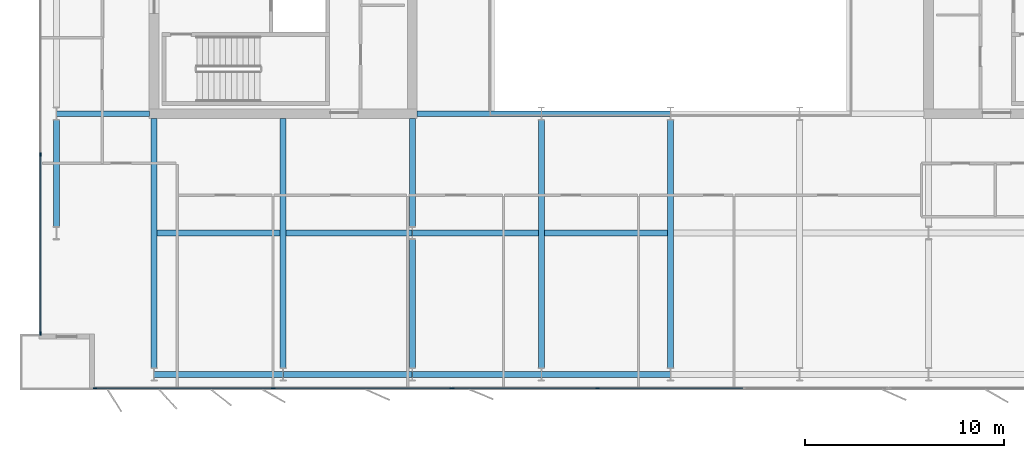
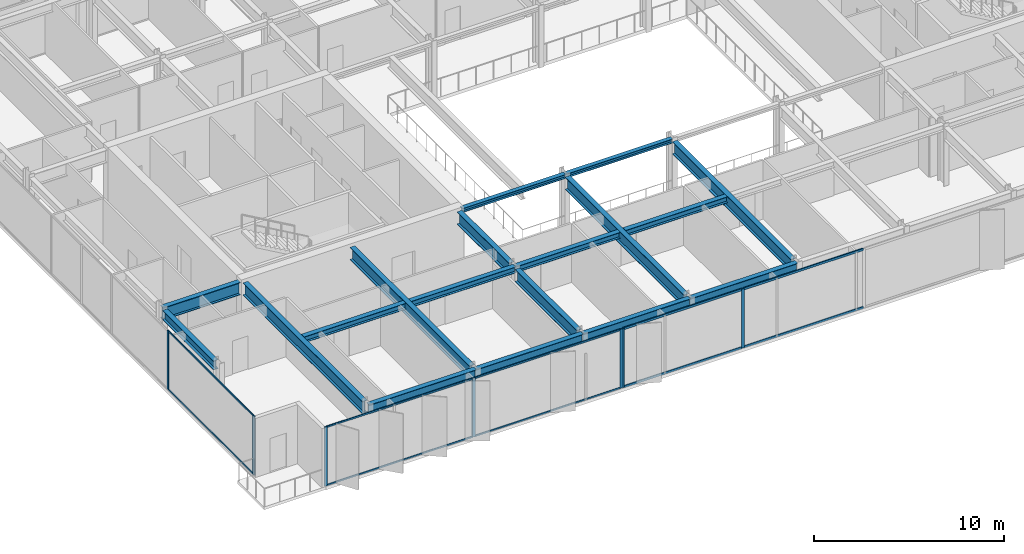
# One storey, part 4 of 20: 18 beams, 17 members, 3 elements without a shape of their own.
"""IFC4 building model written with IfcOpenShell, lengths in metres."""

import ifcopenshell
import ifcopenshell.guid

model = None  # the IFC model being written
_history = None  # IfcOwnerHistory: only IFC2X3 demands one
_inside = {}  # id of a spatial element -> (the spatial element, [elements in it])
_under = {}  # id of a project, library or spatial element -> (it, [spatial elements below it])
_declared = {}  # id of a project -> (the project, [libraries it declares])
_typed = {}  # id of a type object -> (the type object, [elements of that type])
_made_of = {}  # id of a material, layer set ... -> (it, [elements and type objects made of it])


def new_model(schema):
    """Start an empty IFC model of exactly this schema.

    Asked for "IFC4X3", IfcOpenShell would pick the latest addendum, in which some entities
    have other attributes; the version numbers below select the first issue.
    IFC2X3 requires an IfcOwnerHistory on every rooted entity: one is made here for all.
    """
    global model, _history
    if schema == "IFC4X3":
        model = ifcopenshell.file(schema_version=(4, 3, 0, 0))
    else:
        model = ifcopenshell.file(schema=schema)
    _inside.clear()
    _under.clear()
    _declared.clear()
    _typed.clear()
    _made_of.clear()
    _history = None
    if model.schema == "IFC2X3":
        org = make("IfcOrganization", Name="unknown")
        user = make(
            "IfcPersonAndOrganization",
            ThePerson=make("IfcPerson", FamilyName="unknown"),
            TheOrganization=org,
        )
        app = make(
            "IfcApplication",
            ApplicationDeveloper=org,
            Version="unknown",
            ApplicationFullName="unknown",
            ApplicationIdentifier="unknown",
        )
        _history = make(
            "IfcOwnerHistory",
            OwningUser=user,
            OwningApplication=app,
            ChangeAction="ADDED",
            CreationDate=0,
        )
    return model


def make(cls, **values):
    """One entity of the class cls with the attributes given. An attribute that is None is left unset."""
    return model.create_entity(
        cls, **{name: value for name, value in values.items() if value is not None}
    )


def rooted(cls, **values):
    """An entity with a GlobalId (a new one), such as an element, a storey or a relation."""
    return make(cls, GlobalId=ifcopenshell.guid.new(), OwnerHistory=_history, **values)


def si_unit(unit_type, name, prefix=None):
    """IfcSIUnit, for example si_unit("LENGTHUNIT", "METRE", prefix="MILLI")."""
    return make("IfcSIUnit", UnitType=unit_type, Prefix=prefix, Name=name)


def assignment(units):
    """IfcUnitAssignment: the units of a project."""
    return None if units is None else make("IfcUnitAssignment", Units=units)


def point(xyz):
    """IfcCartesianPoint."""
    return None if xyz is None else make("IfcCartesianPoint", Coordinates=xyz)


def direction(xyz):
    """IfcDirection."""
    return None if xyz is None else make("IfcDirection", DirectionRatios=xyz)


def frame(location, z_axis=None, x_axis=None):
    """IfcAxis2Placement3D, a coordinate frame: its origin and axes. An axis left out is left unset."""
    return make(
        "IfcAxis2Placement3D",
        Location=point(location),
        Axis=direction(z_axis),
        RefDirection=direction(x_axis),
    )


def frame_2d(location, x_axis=None):
    """IfcAxis2Placement2D, a coordinate frame in the plane: its origin and x axis."""
    return make(
        "IfcAxis2Placement2D", Location=point(location), RefDirection=direction(x_axis)
    )


def origin():
    """The frame at (0, 0, 0) with its axes left unset."""
    return frame((0.0, 0.0, 0.0))


def origin_2d():
    """The frame at (0, 0) in the plane with its x axis left unset."""
    return frame_2d((0.0, 0.0))


def place(relative_to, where):
    """IfcLocalPlacement: puts the frame where relative to a parent placement (None: the world)."""
    return make(
        "IfcLocalPlacement", PlacementRelTo=relative_to, RelativePlacement=where
    )


def context(
    kind, dimensions, precision=None, world=None, true_north=None, identifier=None
):
    """IfcGeometricRepresentationContext, for example the 3D "Model" context."""
    return make(
        "IfcGeometricRepresentationContext",
        ContextIdentifier=identifier,
        ContextType=kind,
        CoordinateSpaceDimension=dimensions,
        Precision=precision,
        WorldCoordinateSystem=world,
        TrueNorth=true_north,
    )


def subcontext(parent, identifier, kind, view, scale=None):
    """IfcGeometricRepresentationSubContext, for example "Body" below "Model"."""
    return make(
        "IfcGeometricRepresentationSubContext",
        ContextIdentifier=identifier,
        ContextType=kind,
        ParentContext=parent,
        TargetScale=scale,
        TargetView=view,
    )


def project(units=None, contexts=None):
    """IfcProject with its units and contexts."""
    return rooted(
        "IfcProject",
        Name="project",
        RepresentationContexts=contexts,
        UnitsInContext=assignment(units),
    )


def spatial(cls, under=None, at=None, **own):
    """A site, building, storey or space (cls), placed at a placement, below another one or the project."""
    s = rooted(cls, ObjectPlacement=at, **own)
    if under is not None:
        _under.setdefault(under.id(), (under, []))[1].append(s)
    return s


def profile(cls, at=None, kind="AREA", **sizes):
    """A parametric profile (cls). Its sizes go by their IFC names, for example OverallWidth=200.0."""
    return make(cls, ProfileType=kind, Position=at, **sizes)


def rectangle(**sizes):
    """IfcRectangleProfileDef."""
    return profile("IfcRectangleProfileDef", **sizes)


def i_section(**sizes):
    """IfcIShapeProfileDef."""
    return profile("IfcIShapeProfileDef", **sizes)


def extrude(swept, where, along, depth):
    """IfcExtrudedAreaSolid: the profile swept, set in the frame where, extruded along a direction by depth."""
    return make(
        "IfcExtrudedAreaSolid",
        SweptArea=swept,
        Position=where,
        ExtrudedDirection=direction(along),
        Depth=depth,
    )


def shape(context_of_items, identifier, shape_type, items):
    """IfcShapeRepresentation: the items that make up one representation, for example the "Body"."""
    return make(
        "IfcShapeRepresentation",
        ContextOfItems=context_of_items,
        RepresentationIdentifier=identifier,
        RepresentationType=shape_type,
        Items=items,
    )


def material(Name=None, Category=None):
    """IfcMaterial."""
    return make("IfcMaterial", Name=Name, Category=Category)


def layer(
    of_material, thickness, ventilated=None, Name=None, Category=None, Priority=None
):
    """IfcMaterialLayer: one layer of a wall or slab, of a material (None: an air gap)."""
    return make(
        "IfcMaterialLayer",
        Material=of_material,
        LayerThickness=thickness,
        IsVentilated=ventilated,
        Name=Name,
        Category=Category,
        Priority=Priority,
    )


def layer_set(layers, Name=None):
    """IfcMaterialLayerSet."""
    return make("IfcMaterialLayerSet", MaterialLayers=layers, LayerSetName=Name)


def material_profile(
    of_material, cross_section, Name=None, Category=None, Priority=None
):
    """IfcMaterialProfile: a cross section and its material."""
    return make(
        "IfcMaterialProfile",
        Name=Name,
        Material=of_material,
        Profile=cross_section,
        Priority=Priority,
        Category=Category,
    )


def profile_set(profiles, Name=None, composite=None):
    """IfcMaterialProfileSet."""
    return make(
        "IfcMaterialProfileSet",
        Name=Name,
        MaterialProfiles=profiles,
        CompositeProfile=composite,
    )


def made_of(thing, what):
    """Note that an element or type object is made of a material, layer set ...; save() writes the relation."""
    if what is not None:
        _made_of.setdefault(what.id(), (what, []))[1].append(thing)
    return thing


def type_object(cls, material=None, **own):
    """A type object (cls), such as IfcWallType, which elements share."""
    return made_of(rooted(cls, **own), material)


def element(
    cls,
    number,
    at=None,
    inside=None,
    cuts=None,
    type_object=None,
    material=None,
    context=None,
    identifier="Body",
    shape_type=None,
    held_by="IfcProductDefinitionShape",
    body=None,
    shapes=None,
    **own,
):
    """One element of the class cls, such as IfcWall. Its Tag is "e" and its number.

    at: its placement. inside: the storey or other place that contains it. cuts: it is an
    opening in that element (IfcRelVoidsElement). A single representation is given by context,
    identifier, shape_type and body (its items); several are given by shapes. held_by: the class
    of the entity that holds the representations. save() writes the other relations.
    """
    e = rooted(cls, Tag="e%d" % number, ObjectPlacement=at, **own)
    if body is not None:
        shapes = [shape(context, identifier, shape_type, body)]
    if shapes is not None:
        e.Representation = make(held_by, Representations=shapes)
    if inside is not None:
        _inside.setdefault(inside.id(), (inside, []))[1].append(e)
    if cuts is not None:
        rooted(
            "IfcRelVoidsElement", RelatingBuildingElement=cuts, RelatedOpeningElement=e
        )
    if type_object is not None:
        _typed.setdefault(type_object.id(), (type_object, []))[1].append(e)
    return made_of(e, material)


def aggregate(whole, parts):
    """IfcRelAggregates: a whole, such as a stair, and the parts it consists of."""
    return rooted("IfcRelAggregates", RelatingObject=whole, RelatedObjects=parts)


def save(model, path):
    """Write the relations noted so far, then the file.

    IfcRelAggregates (storeys below a building ...), IfcRelContainedInSpatialStructure (elements
    in a storey), IfcRelDefinesByType, IfcRelAssociatesMaterial and IfcRelDeclares: one each for
    every whole, place, type object, material and project.
    """
    for whole, parts in _under.values():
        aggregate(whole, parts)
    for where, things in _inside.values():
        rooted(
            "IfcRelContainedInSpatialStructure",
            RelatedElements=things,
            RelatingStructure=where,
        )
    for kind, things in _typed.values():
        rooted("IfcRelDefinesByType", RelatedObjects=things, RelatingType=kind)
    for what, things in _made_of.values():
        rooted("IfcRelAssociatesMaterial", RelatedObjects=things, RelatingMaterial=what)
    for by, libraries in _declared.values():
        rooted("IfcRelDeclares", RelatingContext=by, RelatedDefinitions=libraries)
    model.write(path)


model = new_model("IFC4")

# Units and contexts
model_context = context("Model", 3, precision=1e-05, world=origin(), true_north=direction((0.0, 1.0)))
body_context = subcontext(model_context, "Body", "Model", "MODEL_VIEW")
ifc_project = project(units=[si_unit("LENGTHUNIT", "METRE"), si_unit("AREAUNIT", "SQUARE_METRE"), si_unit("VOLUMEUNIT", "CUBIC_METRE"), si_unit("PLANEANGLEUNIT", "RADIAN"), si_unit("MASSUNIT", "GRAM", prefix="KILO")], contexts=[model_context])

# Site, building, storey
site_placement = place(None, origin())
site = spatial("IfcSite", under=ifc_project, at=site_placement, CompositionType="ELEMENT")
building_placement = place(site_placement, origin())
building = spatial("IfcBuilding", under=site, at=building_placement, Name="Putna Gate Headquarters", CompositionType="ELEMENT")
storey_placement = place(building_placement, frame((0.0, 0.0, 298.39990234375)))
storey = spatial("IfcBuildingStorey", under=building, at=storey_placement, Name="L75", CompositionType="ELEMENT", Elevation=298.39990234375)

# Beams
ifc_material_1 = material(Name="Steel S355J2", Category="steel")
ifc_material_profile_1 = material_profile(ifc_material_1, i_section(OverallWidth=0.260009765625, OverallDepth=0.260009765625, WebThickness=0.010009765625, FlangeThickness=0.017578125, at=origin_2d()), Name="Steel S355J2")
ifc_profile_set_1 = profile_set([ifc_material_profile_1], Name="Steel S355J2")
beam_type_1 = type_object("IfcBeamType", Name="BM-ATRIUM-HEB260", PredefinedType="BEAM", material=ifc_profile_set_1)
beam_1_placement = place(storey_placement, frame((26.235107421875, 19.0, 3.658203125), z_axis=(1.0, 0.0, 0.0), x_axis=(0.0, 1.0, 0.0)))
element("IfcBeam", 1, at=beam_1_placement, inside=storey, type_object=beam_type_1, Name="L75 Atrium Edge Beam AS1", PredefinedType="BEAM", context=body_context, shape_type="SweptSolid", body=[
    extrude(i_section(OverallWidth=0.260009765625, OverallDepth=0.260009765625, WebThickness=0.010009765625, FlangeThickness=0.017578125, at=origin_2d()), origin(), (0.0, 0.0, 1.0), 6.2587890625),
])
beam_2_placement = place(storey_placement, frame((32.506103515625, 19.0, 3.658203125), z_axis=(1.0, 0.0, 0.0), x_axis=(0.0, 1.0, 0.0)))
element("IfcBeam", 2, at=beam_2_placement, inside=storey, type_object=beam_type_1, Name="L75 Atrium Edge Beam AS2", PredefinedType="BEAM", context=body_context, shape_type="SweptSolid", body=[
    extrude(i_section(OverallWidth=0.260009765625, OverallDepth=0.260009765625, WebThickness=0.010009765625, FlangeThickness=0.017578125, at=origin_2d()), origin(), (0.0, 0.0, 1.0), 6.48779296875),
])
ifc_material_profile_2 = material_profile(ifc_material_1, i_section(OverallWidth=0.300048828125, OverallDepth=0.800048828125, WebThickness=0.017578125, FlangeThickness=0.032958984375, at=origin_2d()), Name="Steel S355J2")
ifc_profile_set_2 = profile_set([ifc_material_profile_2], Name="Steel S355J2")
beam_type_2 = type_object("IfcBeamType", Name="BM-GIRD-P-HEB800", PredefinedType="USERDEFINED", material=ifc_profile_set_2)
beam_3_placement = place(storey_placement, frame((8.0859375, 19.0, 3.38818359375), z_axis=(1.0, 0.0, 0.0), x_axis=(0.0, 1.0, 0.0)))
element("IfcBeam", 3, at=beam_3_placement, inside=storey, type_object=beam_type_2, Name="L75 West Wing Girder Y19", ObjectType="GIRDER", PredefinedType="USERDEFINED", context=body_context, shape_type="SweptSolid", body=[
    extrude(i_section(OverallWidth=0.300048828125, OverallDepth=0.800048828125, WebThickness=0.017578125, FlangeThickness=0.032958984375, at=origin_2d()), origin(), (0.0, 0.0, 1.0), 4.678955078125),
])
for number, where, z_axis, x_axis, name in (
    (4, (13.0, 6.201904296875, 3.38818359375), (0.0, 1.0, 0.0), (-1.0, 0.0, 0.0), "L75 South Primary Girder X13"),
    (5, (19.5, 6.201904296875, 3.38818359375), (0.0, 1.0, 0.0), (-1.0, 0.0, 0.0), "L75 South Primary Girder X19"),
):
    element("IfcBeam", number, at=place(storey_placement, frame(where, z_axis=z_axis, x_axis=x_axis)), inside=storey, type_object=beam_type_2, Name=name, ObjectType="GIRDER", PredefinedType="USERDEFINED", context=body_context, shape_type="SweptSolid", body=[
        extrude(i_section(OverallWidth=0.300048828125, OverallDepth=0.800048828125, WebThickness=0.017578125, FlangeThickness=0.032958984375, at=origin_2d()), origin(), (0.0, 0.0, 1.0), 12.56298828125),
    ])
beam_4_placement = place(storey_placement, frame((26.0, 6.201904296875, 3.38818359375), z_axis=(0.0, 1.0, 0.0), x_axis=(-1.0, 0.0, 0.0)))
element("IfcBeam", 6, at=beam_4_placement, inside=storey, type_object=beam_type_2, Name="L75 South Primary Girder X26-1", ObjectType="GIRDER", PredefinedType="USERDEFINED", context=body_context, shape_type="SweptSolid", body=[
    extrude(i_section(OverallWidth=0.300048828125, OverallDepth=0.800048828125, WebThickness=0.017578125, FlangeThickness=0.032958984375, at=origin_2d()), origin(), (0.0, 0.0, 1.0), 6.47607421875),
])
beam_5_placement = place(storey_placement, frame((26.0, 13.322021484375, 3.38818359375), z_axis=(0.0, 1.0, 0.0), x_axis=(-1.0, 0.0, 0.0)))
element("IfcBeam", 7, at=beam_5_placement, inside=storey, type_object=beam_type_2, Name="L75 South Primary Girder X26-2", ObjectType="GIRDER", PredefinedType="USERDEFINED", context=body_context, shape_type="SweptSolid", body=[
    extrude(i_section(OverallWidth=0.300048828125, OverallDepth=0.800048828125, WebThickness=0.017578125, FlangeThickness=0.032958984375, at=origin_2d()), origin(), (0.0, 0.0, 1.0), 5.44287109375),
])
for number, where, z_axis, x_axis, name in (
    (8, (32.5, 6.201904296875, 3.38818359375), (0.0, 1.0, 0.0), (-1.0, 0.0, 0.0), "L75 South Primary Girder X32"),
    (9, (39.0, 6.201904296875, 3.38818359375), (0.0, 1.0, 0.0), (-1.0, 0.0, 0.0), "L75 South Primary Girder X39"),
):
    element("IfcBeam", number, at=place(storey_placement, frame(where, z_axis=z_axis, x_axis=x_axis)), inside=storey, type_object=beam_type_2, Name=name, ObjectType="GIRDER", PredefinedType="USERDEFINED", context=body_context, shape_type="SweptSolid", body=[
        extrude(i_section(OverallWidth=0.300048828125, OverallDepth=0.800048828125, WebThickness=0.017578125, FlangeThickness=0.032958984375, at=origin_2d()), origin(), (0.0, 0.0, 1.0), 12.47607421875),
    ])
ifc_material_profile_3 = material_profile(ifc_material_1, i_section(OverallWidth=0.300048828125, OverallDepth=0.389892578125, WebThickness=0.010986328125, FlangeThickness=0.01904296875, at=origin_2d()), Name="Steel S355J2")
ifc_profile_set_3 = profile_set([ifc_material_profile_3], Name="Steel S355J2")
beam_type_3 = type_object("IfcBeamType", Name="BM-SEC-Z5-HEA400", PredefinedType="BEAM", material=ifc_profile_set_3)
beam_6_placement = place(storey_placement, frame((13.154052734375, 13.0, 3.593017578125), z_axis=(1.0, 0.0, 0.0), x_axis=(0.0, 1.0, 0.0)))
element("IfcBeam", 10, at=beam_6_placement, inside=storey, type_object=beam_type_3, Name="L75 South Secondary Beam 1", PredefinedType="BEAM", context=body_context, shape_type="SweptSolid", body=[
    extrude(i_section(OverallWidth=0.300048828125, OverallDepth=0.389892578125, WebThickness=0.010986328125, FlangeThickness=0.01904296875, at=origin_2d()), origin(), (0.0, 0.0, 1.0), 6.19189453125),
])
for number, where, z_axis, x_axis, name in (
    (11, (19.654052734375, 13.0, 3.593017578125), (1.0, 0.0, 0.0), (0.0, 1.0, 0.0), "L75 South Secondary Beam 2"),
    (12, (26.006103515625, 13.0, 3.593017578125), (1.0, 0.0, 0.0), (0.0, 1.0, 0.0), "L75 South Secondary Beam 3"),
):
    element("IfcBeam", number, at=place(storey_placement, frame(where, z_axis=z_axis, x_axis=x_axis)), inside=storey, type_object=beam_type_3, Name=name, PredefinedType="BEAM", context=body_context, shape_type="SweptSolid", body=[
        extrude(i_section(OverallWidth=0.300048828125, OverallDepth=0.389892578125, WebThickness=0.010986328125, FlangeThickness=0.01904296875, at=origin_2d()), origin(), (0.0, 0.0, 1.0), 6.33984375),
    ])
beam_7_placement = place(storey_placement, frame((32.654052734375, 13.0, 3.593017578125), z_axis=(1.0, 0.0, 0.0), x_axis=(0.0, 1.0, 0.0)))
element("IfcBeam", 13, at=beam_7_placement, inside=storey, type_object=beam_type_3, Name="L75 South Secondary Beam 4", PredefinedType="BEAM", context=body_context, shape_type="SweptSolid", body=[
    extrude(i_section(OverallWidth=0.300048828125, OverallDepth=0.389892578125, WebThickness=0.010986328125, FlangeThickness=0.01904296875, at=origin_2d()), origin(), (0.0, 0.0, 1.0), 6.19189453125),
])
ifc_material_profile_4 = material_profile(ifc_material_1, i_section(OverallWidth=0.300048828125, OverallDepth=0.590087890625, WebThickness=0.012939453125, FlangeThickness=0.02490234375, at=origin_2d()), Name="Steel S355J2")
ifc_profile_set_4 = profile_set([ifc_material_profile_4], Name="Steel S355J2")
beam_type_4 = type_object("IfcBeamType", Name="BM-SPAN-Z4-HEA600", PredefinedType="SPANDREL", material=ifc_profile_set_4)
for number, where, z_axis, x_axis, name in (
    (14, (13.006103515625, 5.8798828125, 3.4931640625), (1.0, 0.0, 0.0), (0.0, 1.0, 0.0), "L75 S Perimeter Spandrel 1"),
    (15, (19.506103515625, 5.8798828125, 3.4931640625), (1.0, 0.0, 0.0), (0.0, 1.0, 0.0), "L75 S Perimeter Spandrel 2"),
    (16, (26.006103515625, 5.8798828125, 3.4931640625), (1.0, 0.0, 0.0), (0.0, 1.0, 0.0), "L75 S Perimeter Spandrel 3"),
    (17, (32.506103515625, 5.8798828125, 3.4931640625), (1.0, 0.0, 0.0), (0.0, 1.0, 0.0), "L75 S Perimeter Spandrel 4"),
):
    element("IfcBeam", number, at=place(storey_placement, frame(where, z_axis=z_axis, x_axis=x_axis)), inside=storey, type_object=beam_type_4, Name=name, PredefinedType="SPANDREL", context=body_context, shape_type="SweptSolid", body=[
        extrude(i_section(OverallWidth=0.300048828125, OverallDepth=0.590087890625, WebThickness=0.012939453125, FlangeThickness=0.02490234375, at=origin_2d()), origin(), (0.0, 0.0, 1.0), 6.48779296875),
    ])
beam_8_placement = place(storey_placement, frame((8.080078125, 13.322021484375, 3.4931640625), z_axis=(0.0, 1.0, 0.0), x_axis=(-1.0, 0.0, 0.0)))
element("IfcBeam", 18, at=beam_8_placement, inside=storey, type_object=beam_type_4, Name="L75 W End Spandrel 1", PredefinedType="SPANDREL", context=body_context, shape_type="SweptSolid", body=[
    extrude(i_section(OverallWidth=0.300048828125, OverallDepth=0.590087890625, WebThickness=0.012939453125, FlangeThickness=0.02490234375, at=origin_2d()), origin(), (0.0, 0.0, 1.0), 5.35595703125),
])

# Curtain wall, members
ifc_material_2 = material(Name="Anodised bronze aluminium curtain wall", Category="aluminium")
ifc_layer_1 = layer(ifc_material_2, 0.179931640625)
ifc_layer_set_1 = layer_set([ifc_layer_1], Name="Anodised bronze aluminium curtain wall")
curtain_wall_type_1 = type_object("IfcCurtainWallType", Name="CW-SYS-Z5", PredefinedType="USERDEFINED", material=ifc_layer_set_1)
curtain_wall_1_placement = place(storey_placement, origin())
curtain_wall_1 = element("IfcCurtainWall", 19, at=curtain_wall_1_placement, inside=storey, type_object=curtain_wall_type_1, Name="L75 South West Curtain Wall", ObjectType="STICK CURTAIN WALL", PredefinedType="USERDEFINED")
ifc_material_3 = material(Name="Anodised bronze aluminium EN AW-6060", Category="aluminium")
ifc_material_profile_5 = material_profile(ifc_material_3, rectangle(XDim=0.070068359375, YDim=0.179931640625, at=origin_2d()), Name="Anodised bronze aluminium EN AW-6060")
ifc_profile_set_5 = profile_set([ifc_material_profile_5], Name="Anodised bronze aluminium EN AW-6060")
member_type_1 = type_object("IfcMemberType", Name="MULL-CWM-5", PredefinedType="MULLION", material=ifc_profile_set_5)
member_1_placement = place(storey_placement, frame((10.034912109375, 5.179931640625, 0.0), z_axis=(0.0, 0.0, 1.0), x_axis=(0.0, 1.0, 0.0)))
member_1 = element("IfcMember", 20, at=member_1_placement, type_object=member_type_1, Name="CWS-5 mullion 1", PredefinedType="MULLION", context=body_context, shape_type="SweptSolid", body=[
    extrude(rectangle(XDim=0.070068359375, YDim=0.179931640625, at=origin_2d()), origin(), (0.0, 0.0, 1.0), 3.7880859375),
])
member_2_placement = place(storey_placement, frame((19.0, 5.179931640625, 0.0), z_axis=(0.0, 0.0, 1.0), x_axis=(0.0, 1.0, 0.0)))
member_2 = element("IfcMember", 21, at=member_2_placement, type_object=member_type_1, Name="CWS-5 mullion 2", PredefinedType="MULLION", context=body_context, shape_type="SweptSolid", body=[
    extrude(rectangle(XDim=0.070068359375, YDim=0.179931640625, at=origin_2d()), origin(), (0.0, 0.0, 1.0), 3.7880859375),
])
member_3_placement = place(storey_placement, frame((27.965087890625, 5.179931640625, 0.0), z_axis=(0.0, 0.0, 1.0), x_axis=(0.0, 1.0, 0.0)))
member_3 = element("IfcMember", 22, at=member_3_placement, type_object=member_type_1, Name="CWS-5 mullion 3", PredefinedType="MULLION", context=body_context, shape_type="SweptSolid", body=[
    extrude(rectangle(XDim=0.070068359375, YDim=0.179931640625, at=origin_2d()), origin(), (0.0, 0.0, 1.0), 3.7880859375),
])

curtain_wall_2_placement = place(storey_placement, origin())
curtain_wall_2 = element("IfcCurtainWall", 23, at=curtain_wall_2_placement, inside=storey, type_object=curtain_wall_type_1, Name="L75 West Curtain Wall", ObjectType="STICK CURTAIN WALL", PredefinedType="USERDEFINED")
member_4_placement = place(storey_placement, frame((7.280029296875, 7.93505859375, 0.0), z_axis=(0.0, 0.0, 1.0), x_axis=(-1.0, 0.0, 0.0)))
member_4 = element("IfcMember", 24, at=member_4_placement, type_object=member_type_1, Name="CWS-5 mullion 1", PredefinedType="MULLION", context=body_context, shape_type="SweptSolid", body=[
    extrude(rectangle(XDim=0.070068359375, YDim=0.179931640625, at=origin_2d()), origin(), (0.0, 0.0, 1.0), 3.7880859375),
])
member_5_placement = place(storey_placement, frame((7.280029296875, 16.949951171875, 0.0), z_axis=(0.0, 0.0, 1.0), x_axis=(-1.0, 0.0, 0.0)))
member_5 = element("IfcMember", 25, at=member_5_placement, type_object=member_type_1, Name="CWS-5 mullion 2", PredefinedType="MULLION", context=body_context, shape_type="SweptSolid", body=[
    extrude(rectangle(XDim=0.070068359375, YDim=0.179931640625, at=origin_2d()), origin(), (0.0, 0.0, 1.0), 3.7880859375),
])

ifc_layer_2 = layer(ifc_material_2, 0.179931640625)
ifc_layer_set_2 = layer_set([ifc_layer_2], Name="Anodised bronze aluminium curtain wall")
curtain_wall_type_2 = type_object("IfcCurtainWallType", Name="CW-SYS-ATR", PredefinedType="USERDEFINED", material=ifc_layer_set_2)
curtain_wall_3_placement = place(storey_placement, origin())
curtain_wall_3 = element("IfcCurtainWall", 26, at=curtain_wall_3_placement, inside=storey, type_object=curtain_wall_type_2, Name="L75 South Atrium Clear Glazing", ObjectType="ATRIUM GLAZING", PredefinedType="USERDEFINED")
ifc_material_profile_6 = material_profile(ifc_material_3, rectangle(XDim=0.070068359375, YDim=0.179931640625, at=origin_2d()), Name="Anodised bronze aluminium EN AW-6060")
ifc_profile_set_6 = profile_set([ifc_material_profile_6], Name="Anodised bronze aluminium EN AW-6060")
member_type_2 = type_object("IfcMemberType", Name="MULL-CWM-AT", PredefinedType="MULLION", material=ifc_profile_set_6)
member_6_placement = place(storey_placement, frame((28.034912109375, 5.179931640625, 0.0), z_axis=(0.0, 0.0, 1.0), x_axis=(0.0, 1.0, 0.0)))
member_6 = element("IfcMember", 27, at=member_6_placement, type_object=member_type_2, Name="CWS-AT mullion 1", PredefinedType="MULLION", context=body_context, shape_type="SweptSolid", body=[
    extrude(rectangle(XDim=0.070068359375, YDim=0.179931640625, at=origin_2d()), origin(), (0.0, 0.0, 1.0), 3.7880859375),
])
member_7_placement = place(storey_placement, frame((35.333251953125, 5.179931640625, 0.0), z_axis=(0.0, 0.0, 1.0), x_axis=(0.0, 1.0, 0.0)))
member_7 = element("IfcMember", 28, at=member_7_placement, type_object=member_type_2, Name="CWS-AT mullion 2", PredefinedType="MULLION", context=body_context, shape_type="SweptSolid", body=[
    extrude(rectangle(XDim=0.070068359375, YDim=0.179931640625, at=origin_2d()), origin(), (0.0, 0.0, 1.0), 3.7880859375),
])

# Member
ifc_material_profile_7 = material_profile(ifc_material_3, rectangle(XDim=0.06005859375, YDim=0.10009765625, at=origin_2d()), Name="Anodised bronze aluminium EN AW-6060")
ifc_profile_set_7 = profile_set([ifc_material_profile_7], Name="Anodised bronze aluminium EN AW-6060")
member_type_3 = type_object("IfcMemberType", Name="TRAN-CWT-5", PredefinedType="USERDEFINED", material=ifc_profile_set_7)
member_8_placement = place(storey_placement, frame((10.070068359375, 5.179931640625, 0.030029296875), z_axis=(1.0, 0.0, 0.0), x_axis=(0.0, 1.0, 0.0)))
member_8 = element("IfcMember", 29, at=member_8_placement, type_object=member_type_3, Name="CWS-5 transom 1.1", ObjectType="TRANSOM", PredefinedType="USERDEFINED", context=body_context, shape_type="SweptSolid", body=[
    extrude(rectangle(XDim=0.06005859375, YDim=0.10009765625, at=origin_2d()), origin(), (0.0, 0.0, 1.0), 8.89501953125),
])

member_9_placement = place(storey_placement, frame((10.070068359375, 5.179931640625, 3.758056640625), z_axis=(1.0, 0.0, 0.0), x_axis=(0.0, 1.0, 0.0)))
member_9 = element("IfcMember", 30, at=member_9_placement, type_object=member_type_3, Name="CWS-5 transom 1.2", ObjectType="TRANSOM", PredefinedType="USERDEFINED", context=body_context, shape_type="SweptSolid", body=[
    extrude(rectangle(XDim=0.06005859375, YDim=0.10009765625, at=origin_2d()), origin(), (0.0, 0.0, 1.0), 8.89501953125),
])

member_10_placement = place(storey_placement, frame((19.034912109375, 5.179931640625, 0.030029296875), z_axis=(1.0, 0.0, 0.0), x_axis=(0.0, 1.0, 0.0)))
member_10 = element("IfcMember", 31, at=member_10_placement, type_object=member_type_3, Name="CWS-5 transom 2.1", ObjectType="TRANSOM", PredefinedType="USERDEFINED", context=body_context, shape_type="SweptSolid", body=[
    extrude(rectangle(XDim=0.06005859375, YDim=0.10009765625, at=origin_2d()), origin(), (0.0, 0.0, 1.0), 8.89501953125),
])

member_11_placement = place(storey_placement, frame((19.034912109375, 5.179931640625, 3.758056640625), z_axis=(1.0, 0.0, 0.0), x_axis=(0.0, 1.0, 0.0)))
member_11 = element("IfcMember", 32, at=member_11_placement, type_object=member_type_3, Name="CWS-5 transom 2.2", ObjectType="TRANSOM", PredefinedType="USERDEFINED", context=body_context, shape_type="SweptSolid", body=[
    extrude(rectangle(XDim=0.06005859375, YDim=0.10009765625, at=origin_2d()), origin(), (0.0, 0.0, 1.0), 8.89501953125),
])

aggregate(curtain_wall_1, [member_1, member_2, member_3, member_8, member_9, member_10, member_11])

member_12_placement = place(storey_placement, frame((7.280029296875, 7.969970703125, 0.030029296875), z_axis=(0.0, 1.0, 0.0), x_axis=(-1.0, 0.0, 0.0)))
member_12 = element("IfcMember", 33, at=member_12_placement, type_object=member_type_3, Name="CWS-5 transom 1.1", ObjectType="TRANSOM", PredefinedType="USERDEFINED", context=body_context, shape_type="SweptSolid", body=[
    extrude(rectangle(XDim=0.06005859375, YDim=0.10009765625, at=origin_2d()), origin(), (0.0, 0.0, 1.0), 8.945068359375),
])

member_13_placement = place(storey_placement, frame((7.280029296875, 7.969970703125, 3.758056640625), z_axis=(0.0, 1.0, 0.0), x_axis=(-1.0, 0.0, 0.0)))
member_13 = element("IfcMember", 34, at=member_13_placement, type_object=member_type_3, Name="CWS-5 transom 1.2", ObjectType="TRANSOM", PredefinedType="USERDEFINED", context=body_context, shape_type="SweptSolid", body=[
    extrude(rectangle(XDim=0.06005859375, YDim=0.10009765625, at=origin_2d()), origin(), (0.0, 0.0, 1.0), 8.945068359375),
])

aggregate(curtain_wall_2, [member_4, member_5, member_12, member_13])

ifc_material_profile_8 = material_profile(ifc_material_3, rectangle(XDim=0.070068359375, YDim=0.139892578125, at=origin_2d()), Name="Anodised bronze aluminium EN AW-6060")
ifc_profile_set_8 = profile_set([ifc_material_profile_8], Name="Anodised bronze aluminium EN AW-6060")
member_type_4 = type_object("IfcMemberType", Name="TRAN-CWT-AT", PredefinedType="USERDEFINED", material=ifc_profile_set_8)
member_14_placement = place(storey_placement, frame((28.070068359375, 5.179931640625, 0.03515625), z_axis=(1.0, 0.0, 0.0), x_axis=(0.0, 1.0, 0.0)))
member_14 = element("IfcMember", 35, at=member_14_placement, type_object=member_type_4, Name="CWS-AT transom 1.1", ObjectType="TRANSOM", PredefinedType="USERDEFINED", context=body_context, shape_type="SweptSolid", body=[
    extrude(rectangle(XDim=0.070068359375, YDim=0.139892578125, at=origin_2d()), origin(), (0.0, 0.0, 1.0), 7.228271484375),
])

member_15_placement = place(storey_placement, frame((28.070068359375, 5.179931640625, 3.753173828125), z_axis=(1.0, 0.0, 0.0), x_axis=(0.0, 1.0, 0.0)))
member_15 = element("IfcMember", 36, at=member_15_placement, type_object=member_type_4, Name="CWS-AT transom 1.2", ObjectType="TRANSOM", PredefinedType="USERDEFINED", context=body_context, shape_type="SweptSolid", body=[
    extrude(rectangle(XDim=0.070068359375, YDim=0.139892578125, at=origin_2d()), origin(), (0.0, 0.0, 1.0), 7.228271484375),
])

member_16_placement = place(storey_placement, frame((35.368408203125, 5.179931640625, 0.03515625), z_axis=(1.0, 0.0, 0.0), x_axis=(0.0, 1.0, 0.0)))
member_16 = element("IfcMember", 37, at=member_16_placement, type_object=member_type_4, Name="CWS-AT transom 2.1", ObjectType="TRANSOM", PredefinedType="USERDEFINED", context=body_context, shape_type="SweptSolid", body=[
    extrude(rectangle(XDim=0.070068359375, YDim=0.139892578125, at=origin_2d()), origin(), (0.0, 0.0, 1.0), 7.26318359375),
])

member_17_placement = place(storey_placement, frame((35.368408203125, 5.179931640625, 3.753173828125), z_axis=(1.0, 0.0, 0.0), x_axis=(0.0, 1.0, 0.0)))
member_17 = element("IfcMember", 38, at=member_17_placement, type_object=member_type_4, Name="CWS-AT transom 2.2", ObjectType="TRANSOM", PredefinedType="USERDEFINED", context=body_context, shape_type="SweptSolid", body=[
    extrude(rectangle(XDim=0.070068359375, YDim=0.139892578125, at=origin_2d()), origin(), (0.0, 0.0, 1.0), 7.26318359375),
])

aggregate(curtain_wall_3, [member_6, member_7, member_14, member_15, member_16, member_17])

save(model, "model.ifc")
